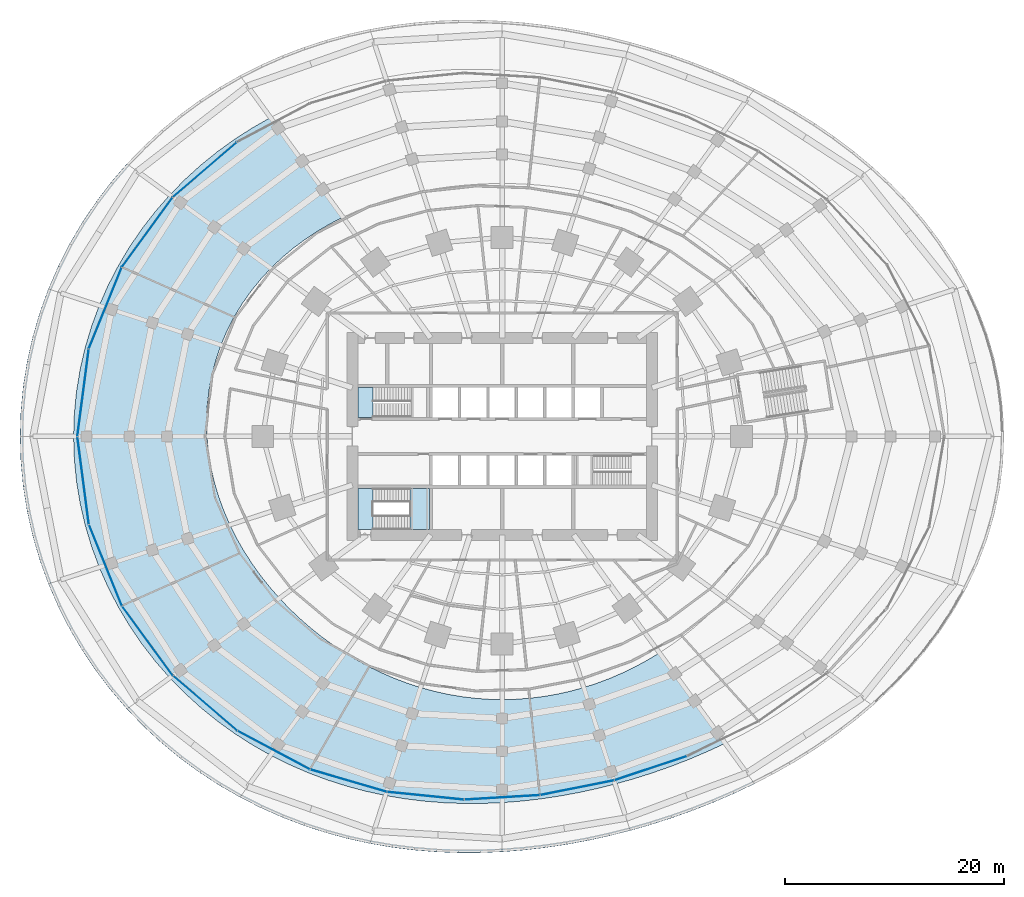
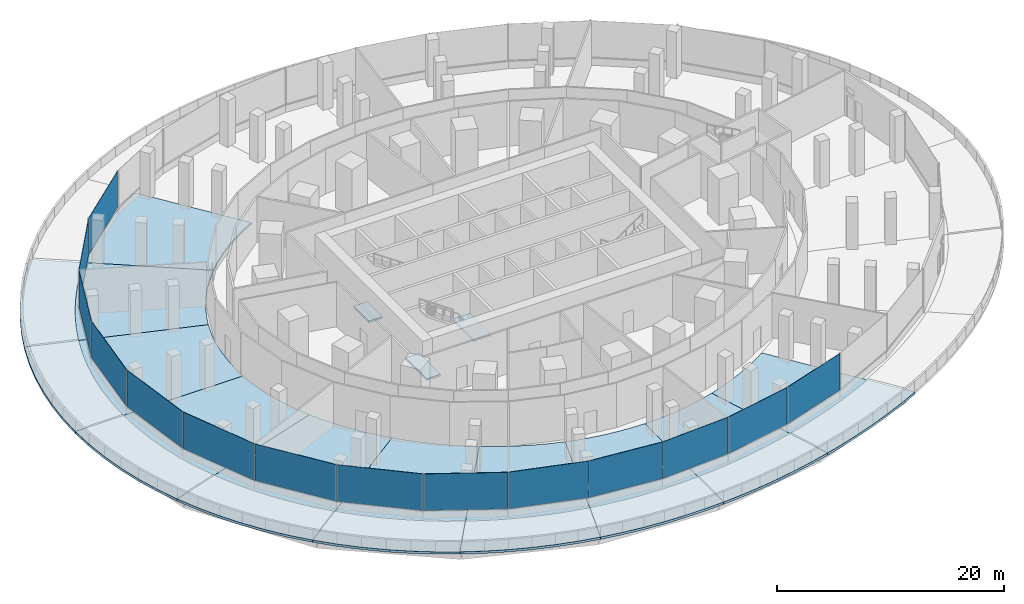
# One storey, part 19 of 31: 22 slabs, 14 plates, 5 elements without a shape of their own.
"""IFC4 building model written with IfcOpenShell, lengths in metres."""

from ifc_helpers import new_model, si_unit, direction, frame, origin, origin_2d, place, context, subcontext, project, spatial, polyline, rectangle, outline, extrude, material, layer, layer_set, type_object, element, aggregate, save


model = new_model("IFC4")

# Units and contexts
model_context = context("Model", 3, precision=1e-05, world=origin(), true_north=direction((0.0, 1.0)))
body_context = subcontext(model_context, "Body", "Model", "MODEL_VIEW")
ifc_project = project(units=[si_unit("LENGTHUNIT", "METRE"), si_unit("AREAUNIT", "SQUARE_METRE"), si_unit("VOLUMEUNIT", "CUBIC_METRE"), si_unit("PLANEANGLEUNIT", "RADIAN"), si_unit("MASSUNIT", "GRAM", prefix="KILO")], contexts=[model_context])

# Site, building, storey
site_placement = place(None, origin())
site = spatial("IfcSite", under=ifc_project, at=site_placement, CompositionType="ELEMENT")
building_placement = place(site_placement, origin())
building = spatial("IfcBuilding", under=site, at=building_placement, Name="Marramba Exchange Tower", CompositionType="ELEMENT")
storey_placement = place(building_placement, frame((0.0, 0.0, 5.60009765625)))
storey = spatial("IfcBuildingStorey", under=building, at=storey_placement, Name="L01", CompositionType="ELEMENT", Elevation=5.60009765625)

# Slabs
ifc_material_1 = material(Name="Concrete N40", Category="concrete")
ifc_layer_1 = layer(ifc_material_1, 0.199951171875)
ifc_layer_set_1 = layer_set([ifc_layer_1], Name="Floor slab 200")
slab_type_1 = type_object("IfcSlabType", Name="Floor slab 200", PredefinedType="FLOOR", material=ifc_layer_set_1)
slab_1_placement = place(storey_placement, frame((0.0, 0.0, -0.2001953125)))
element("IfcSlab", 1, at=slab_1_placement, inside=storey, type_object=slab_type_1, Name="Floor slab L01 podium bay 08", PredefinedType="FLOOR", context=body_context, shape_type="SweptSolid", body=[
    extrude(outline(polyline([(-30.401611328125, 22.088134765625), (-29.01708984375, 23.49755859375), (-27.56298828125, 24.81787109375), (-26.0458984375, 26.0458984375), (-24.47314453125, 27.18017578125), (-22.8515625, 28.219482421875), (-21.18798828125, 29.162841796875), (-14.563720703125, 20.04541015625), (-15.740478515625, 19.437744140625), (-16.89453125, 18.763427734375), (-18.020263671875, 18.020263671875), (-19.11083984375, 17.20751953125), (-20.159423828125, 16.32470703125), (-21.158447265625, 15.37255859375), (-30.401611328125, 22.088134765625)])), origin(), (0.0, 0.0, 1.0), 0.2001953125),
])
slab_2_placement = place(storey_placement, frame((0.0, 0.0, -0.2001953125)))
element("IfcSlab", 2, at=slab_2_placement, inside=storey, type_object=slab_type_1, Name="Floor slab L01 podium bay 09", PredefinedType="FLOOR", context=body_context, shape_type="SweptSolid", body=[
    extrude(outline(polyline([(-36.0322265625, 13.83154296875), (-35.10107421875, 15.6279296875), (-34.065673828125, 17.357421875), (-32.932861328125, 19.013671875), (-31.709228515625, 20.59228515625), (-30.401611328125, 22.088134765625), (-21.158447265625, 15.37255859375), (-22.10107421875, 14.3525390625), (-22.9794921875, 13.267333984375), (-23.786865234375, 12.1201171875), (-24.516357421875, 10.915283203125), (-25.16162109375, 9.65869140625), (-25.717529296875, 8.356201171875), (-36.853515625, 11.974365234375), (-36.0322265625, 13.83154296875)])), origin(), (0.0, 0.0, 1.0), 0.2001953125),
])
slab_3_placement = place(storey_placement, frame((0.0, 0.0, -0.2001953125)))
element("IfcSlab", 3, at=slab_3_placement, inside=storey, type_object=slab_type_1, Name="Floor slab L01 podium bay 10", PredefinedType="FLOOR", context=body_context, shape_type="SweptSolid", body=[
    extrude(outline(polyline([(-39.13330078125, 2.05078125), (-38.933837890625, 4.092041015625), (-38.60302734375, 6.114013671875), (-38.1435546875, 8.107666015625), (-37.558837890625, 10.06396484375), (-36.853515625, 11.974365234375), (-25.717529296875, 8.356201171875), (-26.179443359375, 7.0146484375), (-26.5439453125, 5.64208984375), (-26.80859375, 4.24609375), (-26.97265625, 2.8349609375), (-27.035888671875, 1.4169921875), (-27.0, 0.0), (-39.199951171875, 0.0), (-39.13330078125, 2.05078125)])), origin(), (0.0, 0.0, 1.0), 0.2001953125),
])
slab_4_placement = place(storey_placement, frame((0.0, 0.0, -0.2001953125)))
element("IfcSlab", 4, at=slab_4_placement, inside=storey, type_object=slab_type_1, Name="Floor slab L01 podium bay 11", PredefinedType="FLOOR", context=body_context, shape_type="SweptSolid", body=[
    extrude(outline(polyline([(-36.853515625, -11.974365234375), (-37.558837890625, -10.06396484375), (-38.1435546875, -8.107666015625), (-38.60302734375, -6.114013671875), (-38.933837890625, -4.092041015625), (-39.13330078125, -2.05078125), (-39.199951171875, 0.0), (-27.0, 0.0), (-26.8671875, -1.407958984375), (-26.64111328125, -2.800048828125), (-26.326171875, -4.169677734375), (-25.927001953125, -5.510986328125), (-25.44921875, -6.819091796875), (-24.8984375, -8.090087890625), (-36.853515625, -11.974365234375)])), origin(), (0.0, 0.0, 1.0), 0.2001953125),
])
slab_5_placement = place(storey_placement, frame((0.0, 0.0, -0.2001953125)))
element("IfcSlab", 5, at=slab_5_placement, inside=storey, type_object=slab_type_1, Name="Floor slab L01 podium bay 12", PredefinedType="FLOOR", context=body_context, shape_type="SweptSolid", body=[
    extrude(outline(polyline([(-31.709228515625, -20.59228515625), (-32.932861328125, -19.013671875), (-34.065673828125, -17.357421875), (-35.10107421875, -15.6279296875), (-36.0322265625, -13.83154296875), (-36.853515625, -11.974365234375), (-24.8984375, -8.090087890625), (-24.280517578125, -9.320556640625), (-23.60107421875, -10.5078125), (-22.865234375, -11.650390625), (-22.078369140625, -12.7470703125), (-21.244873046875, -13.796630859375), (-20.36865234375, -14.798583984375), (-30.401611328125, -22.088134765625), (-31.709228515625, -20.59228515625)])), origin(), (0.0, 0.0, 1.0), 0.2001953125),
])
slab_6_placement = place(storey_placement, frame((0.0, 0.0, -0.2001953125)))
element("IfcSlab", 6, at=slab_6_placement, inside=storey, type_object=slab_type_1, Name="Floor slab L01 podium bay 13", PredefinedType="FLOOR", context=body_context, shape_type="SweptSolid", body=[
    extrude(outline(polyline([(-21.18798828125, -29.162841796875), (-22.8515625, -28.219482421875), (-24.47314453125, -27.18017578125), (-26.0458984375, -26.0458984375), (-27.56298828125, -24.81787109375), (-29.01708984375, -23.49755859375), (-30.401611328125, -22.088134765625), (-20.36865234375, -14.798583984375), (-19.453369140625, -15.753173828125), (-18.502197265625, -16.659423828125), (-17.517578125, -17.517578125), (-16.501953125, -18.327392578125), (-15.457275390625, -19.088134765625), (-14.385009765625, -19.799072265625), (-21.18798828125, -29.162841796875)])), origin(), (0.0, 0.0, 1.0), 0.2001953125),
])
slab_7_placement = place(storey_placement, frame((0.0, 0.0, -0.2001953125)))
element("IfcSlab", 7, at=slab_7_placement, inside=storey, type_object=slab_type_1, Name="Floor slab L01 podium bay 14", PredefinedType="FLOOR", context=body_context, shape_type="SweptSolid", body=[
    extrude(outline(polyline([(-10.6728515625, -32.84765625), (-12.46044921875, -32.460693359375), (-14.240966796875, -31.98583984375), (-16.009521484375, -31.420654296875), (-17.7607421875, -30.762451171875), (-19.489013671875, -30.01025390625), (-21.18798828125, -29.162841796875), (-14.385009765625, -19.799072265625), (-13.286865234375, -20.459716796875), (-12.164306640625, -21.069091796875), (-11.01904296875, -21.6259765625), (-9.8525390625, -22.129150390625), (-8.66650390625, -22.577392578125), (-7.463134765625, -22.968994140625), (-10.6728515625, -32.84765625)])), origin(), (0.0, 0.0, 1.0), 0.2001953125),
])
slab_8_placement = place(storey_placement, frame((0.0, 0.0, -0.2001953125)))
element("IfcSlab", 8, at=slab_8_placement, inside=storey, type_object=slab_type_1, Name="Floor slab L01 podium bay 15", PredefinedType="FLOOR", context=body_context, shape_type="SweptSolid", body=[
    extrude(outline(polyline([(-1.759521484375, -33.572509765625), (-3.529052734375, -33.5771484375), (-5.3076171875, -33.5107421875), (-7.0927734375, -33.369140625), (-8.88232421875, -33.1494140625), (-10.6728515625, -32.84765625), (-7.463134765625, -22.968994140625), (-6.244140625, -23.30322265625), (-5.01171875, -23.578369140625), (-3.7685546875, -23.793701171875), (-2.51708984375, -23.947998046875), (-1.260009765625, -24.041015625), (0.0, -24.072021484375), (0.0, -33.5), (-1.759521484375, -33.572509765625)])), origin(), (0.0, 0.0, 1.0), 0.2001953125),
])
slab_9_placement = place(storey_placement, frame((0.0, 0.0, -0.2001953125)))
element("IfcSlab", 9, at=slab_9_placement, inside=storey, type_object=slab_type_1, Name="Floor slab L01 podium bay 16", PredefinedType="FLOOR", context=body_context, shape_type="SweptSolid", body=[
    extrude(outline(polyline([(10.3330078125, -31.801513671875), (8.634521484375, -32.224853515625), (6.927978515625, -32.59375), (5.212158203125, -32.907470703125), (3.48583984375, -33.164794921875), (1.74853515625, -33.363037109375), (0.0, -33.5), (0.0, -24.072021484375), (1.260009765625, -24.041015625), (2.51708984375, -23.947998046875), (3.7685546875, -23.793701171875), (5.01171875, -23.578369140625), (6.244140625, -23.30322265625), (7.463134765625, -22.968994140625), (10.3330078125, -31.801513671875)])), origin(), (0.0, 0.0, 1.0), 0.2001953125),
])
slab_10_placement = place(storey_placement, frame((0.0, 0.0, -0.2001953125)))
element("IfcSlab", 10, at=slab_10_placement, inside=storey, type_object=slab_type_1, Name="Floor slab L01 podium bay 17", PredefinedType="FLOOR", context=body_context, shape_type="SweptSolid", body=[
    extrude(outline(polyline([(20.39697265625, -28.073974609375), (18.73388671875, -28.84765625), (17.064208984375, -29.55615234375), (15.389404296875, -30.203125), (13.70947265625, -30.791748046875), (12.024169921875, -31.323974609375), (10.3330078125, -31.801513671875), (7.463134765625, -22.968994140625), (8.66650390625, -22.577392578125), (9.8525390625, -22.129150390625), (11.01904296875, -21.6259765625), (12.164306640625, -21.069091796875), (13.286865234375, -20.459716796875), (14.385009765625, -19.799072265625), (20.39697265625, -28.073974609375)])), origin(), (0.0, 0.0, 1.0), 0.2001953125),
])
ifc_layer_2 = layer(ifc_material_1, 0.25)
ifc_layer_set_2 = layer_set([ifc_layer_2], Name="Planted roof slab 250")
slab_type_2 = type_object("IfcSlabType", Name="Planted roof slab 250", PredefinedType="ROOF", material=ifc_layer_set_2)
slab_11_placement = place(storey_placement, frame((0.0, 0.0, -0.25)))
element("IfcSlab", 11, at=slab_11_placement, inside=storey, type_object=slab_type_2, Name="Planted roof slab L01 bay 09", PredefinedType="ROOF", context=body_context, shape_type="SweptSolid", body=[
    extrude(outline(polyline([(-41.504638671875, 13.485595703125), (-40.593994140625, 15.58251953125), (-39.56005859375, 17.61328125), (-38.408935546875, 19.5703125), (-37.147705078125, 21.447265625), (-35.782958984375, 23.23779296875), (-34.32275390625, 24.93701171875), (-30.401611328125, 22.088134765625), (-31.709228515625, 20.59228515625), (-32.932861328125, 19.013671875), (-34.065673828125, 17.357421875), (-35.10107421875, 15.6279296875), (-36.0322265625, 13.83154296875), (-36.853515625, 11.974365234375), (-41.504638671875, 13.485595703125)])), origin(), (0.0, 0.0, 1.0), 0.25),
])
slab_12_placement = place(storey_placement, frame((0.0, 0.0, -0.25)))
element("IfcSlab", 12, at=slab_12_placement, inside=storey, type_object=slab_type_2, Name="Planted roof slab L01 bay 10", PredefinedType="ROOF", context=body_context, shape_type="SweptSolid", body=[
    extrude(outline(polyline([(-44.0263671875, 2.307373046875), (-43.80615234375, 4.604248046875), (-43.440673828125, 6.88037109375), (-42.9326171875, 9.125732421875), (-42.285888671875, 11.33056640625), (-41.504638671875, 13.485595703125), (-36.853515625, 11.974365234375), (-37.558837890625, 10.06396484375), (-38.1435546875, 8.107666015625), (-38.60302734375, 6.114013671875), (-38.933837890625, 4.092041015625), (-39.13330078125, 2.05078125), (-39.199951171875, 0.0), (-44.10009765625, 0.0), (-44.0263671875, 2.307373046875)])), origin(), (0.0, 0.0, 1.0), 0.25),
])
slab_13_placement = place(storey_placement, frame((0.0, 0.0, -0.25)))
element("IfcSlab", 13, at=slab_13_placement, inside=storey, type_object=slab_type_2, Name="Planted roof slab L01 bay 11", PredefinedType="ROOF", context=body_context, shape_type="SweptSolid", body=[
    extrude(outline(polyline([(-42.285888671875, -11.33056640625), (-42.9326171875, -9.125732421875), (-43.440673828125, -6.88037109375), (-43.80615234375, -4.604248046875), (-44.0263671875, -2.307373046875), (-44.10009765625, 0.0), (-39.199951171875, 0.0), (-39.13330078125, -2.05078125), (-38.933837890625, -4.092041015625), (-38.60302734375, -6.114013671875), (-38.1435546875, -8.107666015625), (-37.558837890625, -10.06396484375), (-36.853515625, -11.974365234375), (-41.504638671875, -13.485595703125), (-42.285888671875, -11.33056640625)])), origin(), (0.0, 0.0, 1.0), 0.25),
])
slab_14_placement = place(storey_placement, frame((0.0, 0.0, -0.25)))
element("IfcSlab", 14, at=slab_14_placement, inside=storey, type_object=slab_type_2, Name="Planted roof slab L01 bay 12", PredefinedType="ROOF", context=body_context, shape_type="SweptSolid", body=[
    extrude(outline(polyline([(-35.782958984375, -23.23779296875), (-37.147705078125, -21.447265625), (-38.408935546875, -19.5703125), (-39.56005859375, -17.61328125), (-40.593994140625, -15.58251953125), (-41.504638671875, -13.485595703125), (-36.853515625, -11.974365234375), (-36.0322265625, -13.83154296875), (-35.10107421875, -15.6279296875), (-34.065673828125, -17.357421875), (-32.932861328125, -19.013671875), (-31.709228515625, -20.59228515625), (-30.401611328125, -22.088134765625), (-34.32275390625, -24.93701171875), (-35.782958984375, -23.23779296875)])), origin(), (0.0, 0.0, 1.0), 0.25),
])
slab_15_placement = place(storey_placement, frame((0.0, 0.0, -0.25)))
element("IfcSlab", 15, at=slab_15_placement, inside=storey, type_object=slab_type_2, Name="Planted roof slab L01 bay 13", PredefinedType="ROOF", context=body_context, shape_type="SweptSolid", body=[
    extrude(outline(polyline([(-23.980224609375, -33.005859375), (-25.853515625, -31.92626953125), (-27.67724609375, -30.738525390625), (-29.44384765625, -29.44384765625), (-31.145263671875, -28.04345703125), (-32.774169921875, -26.5400390625), (-34.32275390625, -24.93701171875), (-30.401611328125, -22.088134765625), (-29.01708984375, -23.49755859375), (-27.56298828125, -24.81787109375), (-26.0458984375, -26.0458984375), (-24.47314453125, -27.18017578125), (-22.8515625, -28.219482421875), (-21.18798828125, -29.162841796875), (-23.980224609375, -33.005859375)])), origin(), (0.0, 0.0, 1.0), 0.25),
])
slab_16_placement = place(storey_placement, frame((0.0, 0.0, -0.25)))
element("IfcSlab", 16, at=slab_16_placement, inside=storey, type_object=slab_type_2, Name="Planted roof slab L01 bay 14", PredefinedType="ROOF", context=body_context, shape_type="SweptSolid", body=[
    extrude(outline(polyline([(-14.123291015625, -36.79248046875), (-16.1376953125, -36.24560546875), (-18.136962890625, -35.595703125), (-20.11474609375, -34.83984375), (-22.06494140625, -33.97705078125), (-23.980224609375, -33.005859375), (-21.18798828125, -29.162841796875), (-19.489013671875, -30.01025390625), (-17.7607421875, -30.762451171875), (-16.009521484375, -31.420654296875), (-14.240966796875, -31.98583984375), (-12.46044921875, -32.460693359375), (-10.6728515625, -32.84765625), (-12.099609375, -37.238525390625), (-14.123291015625, -36.79248046875)])), origin(), (0.0, 0.0, 1.0), 0.25),
])
slab_17_placement = place(storey_placement, frame((0.0, 0.0, -0.25)))
element("IfcSlab", 17, at=slab_17_placement, inside=storey, type_object=slab_type_2, Name="Planted roof slab L01 bay 15", PredefinedType="ROOF", context=body_context, shape_type="SweptSolid", body=[
    extrude(outline(polyline([(-1.995849609375, -38.08154296875), (-4.0029296875, -38.085205078125), (-6.019775390625, -38.006591796875), (-8.04345703125, -37.842041015625), (-10.071533203125, -37.587158203125), (-12.099609375, -37.238525390625), (-10.6728515625, -32.84765625), (-8.88232421875, -33.1494140625), (-7.0927734375, -33.369140625), (-5.3076171875, -33.5107421875), (-3.529052734375, -33.5771484375), (-1.759521484375, -33.572509765625), (0.0, -33.5), (0.0, -38.0), (-1.995849609375, -38.08154296875)])), origin(), (0.0, 0.0, 1.0), 0.25),
])
slab_18_placement = place(storey_placement, frame((0.0, 0.0, -0.25)))
element("IfcSlab", 18, at=slab_18_placement, inside=storey, type_object=slab_type_2, Name="Planted roof slab L01 bay 16", PredefinedType="ROOF", context=body_context, shape_type="SweptSolid", body=[
    extrude(outline(polyline([(11.714111328125, -36.052734375), (9.79052734375, -36.538818359375), (7.856689453125, -36.962646484375), (5.911376953125, -37.322509765625), (3.95361328125, -37.6171875), (1.9833984375, -37.843994140625), (0.0, -38.0), (0.0, -33.5), (1.74853515625, -33.363037109375), (3.48583984375, -33.164794921875), (5.212158203125, -32.907470703125), (6.927978515625, -32.59375), (8.634521484375, -32.224853515625), (10.3330078125, -31.801513671875), (11.714111328125, -36.052734375)])), origin(), (0.0, 0.0, 1.0), 0.25),
])
slab_19_placement = place(storey_placement, frame((0.0, 0.0, -0.25)))
element("IfcSlab", 19, at=slab_19_placement, inside=storey, type_object=slab_type_2, Name="Planted roof slab L01 bay 17", PredefinedType="ROOF", context=body_context, shape_type="SweptSolid", body=[
    extrude(outline(polyline([(21.210205078125, -32.66064453125), (19.325927734375, -33.4736328125), (17.43408203125, -34.216552734375), (15.53515625, -34.892578125), (13.628662109375, -35.504150390625), (11.714111328125, -36.052734375), (10.3330078125, -31.801513671875), (12.024169921875, -31.323974609375), (13.70947265625, -30.791748046875), (15.389404296875, -30.203125), (17.064208984375, -29.55615234375), (18.73388671875, -28.84765625), (20.39697265625, -28.073974609375), (23.0849609375, -31.773681640625), (21.210205078125, -32.66064453125)])), origin(), (0.0, 0.0, 1.0), 0.25),
])

# Curtain wall, plates
ifc_material_2 = material(Name="Aluminium framing, bronze anodised", Category="aluminium")
curtain_wall_type = type_object("IfcCurtainWallType", Name="Podium ribbon curtain wall", PredefinedType="USERDEFINED", material=ifc_material_2)
curtain_wall_1_placement = place(storey_placement, origin())
curtain_wall_1 = element("IfcCurtainWall", 20, at=curtain_wall_1_placement, inside=storey, type_object=curtain_wall_type, Name="Curtain wall CW2 L01 F11-F15", ObjectType="RIBBON CURTAIN WALL", PredefinedType="USERDEFINED")
ifc_material_3 = material(Name="Double glazed unit 8 + 12 + 8.76, bronze tinted", Category="glass")
ifc_layer_3 = layer(ifc_material_3, 0.02880859375)
ifc_layer_set_3 = layer_set([ifc_layer_3], Name="Podium ribbon curtain wall panel")
plate_type = type_object("IfcPlateType", Name="Podium ribbon curtain wall panel", PredefinedType="CURTAIN_PANEL", material=ifc_layer_set_3)
plate_1_placement = place(storey_placement, frame((-27.201416015625, 24.381591796875, 0.85986328125), z_axis=(0.0, 0.0, 1.0), x_axis=(-0.759373869701, -0.650654536613, 0.0)))
plate_1 = element("IfcPlate", 21, at=plate_1_placement, type_object=plate_type, Name="CW2 vision panel", PredefinedType="CURTAIN_PANEL", context=body_context, shape_type="SweptSolid", body=[
    extrude(rectangle(XDim=7.6826171875, YDim=0.02880859375, at=origin_2d()), origin(), (0.0, 0.0, 1.0), 3.93994140625),
])
plate_2_placement = place(storey_placement, frame((-32.467529296875, 18.65966796875, 0.85986328125), z_axis=(0.0, 0.0, 1.0), x_axis=(-0.589045557291, -0.808099827642, 0.0)))
plate_2 = element("IfcPlate", 22, at=plate_2_placement, type_object=plate_type, Name="CW2 vision panel", PredefinedType="CURTAIN_PANEL", context=body_context, shape_type="SweptSolid", body=[
    extrude(rectangle(XDim=7.855712890625, YDim=0.02880859375, at=origin_2d()), origin(), (0.0, 0.0, 1.0), 3.93994140625),
])
plate_3_placement = place(storey_placement, frame((-36.302490234375, 11.732421875, 0.85986328125), z_axis=(0.0, 0.0, 1.0), x_axis=(-0.375631800009, -0.926768984603, 0.0)))
plate_3 = element("IfcPlate", 23, at=plate_3_placement, type_object=plate_type, Name="CW2 vision panel", PredefinedType="CURTAIN_PANEL", context=body_context, shape_type="SweptSolid", body=[
    extrude(rectangle(XDim=7.9794921875, YDim=0.02880859375, at=origin_2d()), origin(), (0.0, 0.0, 1.0), 3.93994140625),
])
plate_4_placement = place(storey_placement, frame((-38.329345703125, 3.98779296875, 0.85986328125), z_axis=(0.0, 0.0, 1.0), x_axis=(-0.129442533112, -0.991586925399, 0.0)))
plate_4 = element("IfcPlate", 24, at=plate_4_placement, type_object=plate_type, Name="CW2 vision panel", PredefinedType="CURTAIN_PANEL", context=body_context, shape_type="SweptSolid", body=[
    extrude(rectangle(XDim=8.04296875, YDim=0.02880859375, at=origin_2d()), origin(), (0.0, 0.0, 1.0), 3.93994140625),
])
aggregate(curtain_wall_1, [plate_1, plate_2, plate_3, plate_4])

curtain_wall_2_placement = place(storey_placement, origin())
curtain_wall_2 = element("IfcCurtainWall", 25, at=curtain_wall_2_placement, inside=storey, type_object=curtain_wall_type, Name="Curtain wall CW2 L01 F16-F20", ObjectType="RIBBON CURTAIN WALL", PredefinedType="USERDEFINED")
plate_5_placement = place(storey_placement, frame((-38.32177734375, -4.047119140625, 0.85986328125), z_axis=(0.0, 0.0, 1.0), x_axis=(0.129442533112, -0.991586925399, 0.0)))
plate_5 = element("IfcPlate", 26, at=plate_5_placement, type_object=plate_type, Name="CW2 vision panel", PredefinedType="CURTAIN_PANEL", context=body_context, shape_type="SweptSolid", body=[
    extrude(rectangle(XDim=8.04296875, YDim=0.02880859375, at=origin_2d()), origin(), (0.0, 0.0, 1.0), 3.93994140625),
])
plate_6_placement = place(storey_placement, frame((-36.280029296875, -11.7880859375, 0.85986328125), z_axis=(0.0, 0.0, 1.0), x_axis=(0.375631800009, -0.926768984603, 0.0)))
plate_6 = element("IfcPlate", 27, at=plate_6_placement, type_object=plate_type, Name="CW2 vision panel", PredefinedType="CURTAIN_PANEL", context=body_context, shape_type="SweptSolid", body=[
    extrude(rectangle(XDim=7.9794921875, YDim=0.02880859375, at=origin_2d()), origin(), (0.0, 0.0, 1.0), 3.93994140625),
])
plate_7_placement = place(storey_placement, frame((-32.43212890625, -18.708251953125, 0.85986328125), z_axis=(0.0, 0.0, 1.0), x_axis=(0.589045557291, -0.808099827642, 0.0)))
plate_7 = element("IfcPlate", 28, at=plate_7_placement, type_object=plate_type, Name="CW2 vision panel", PredefinedType="CURTAIN_PANEL", context=body_context, shape_type="SweptSolid", body=[
    extrude(rectangle(XDim=7.855712890625, YDim=0.02880859375, at=origin_2d()), origin(), (0.0, 0.0, 1.0), 3.93994140625),
])
plate_8_placement = place(storey_placement, frame((-27.156005859375, -24.420654296875, 0.85986328125), z_axis=(0.0, 0.0, 1.0), x_axis=(0.759373869701, -0.650654536613, 0.0)))
plate_8 = element("IfcPlate", 29, at=plate_8_placement, type_object=plate_type, Name="CW2 vision panel", PredefinedType="CURTAIN_PANEL", context=body_context, shape_type="SweptSolid", body=[
    extrude(rectangle(XDim=7.6826171875, YDim=0.02880859375, at=origin_2d()), origin(), (0.0, 0.0, 1.0), 3.93994140625),
])
plate_9_placement = place(storey_placement, frame((-20.885986328125, -28.703857421875, 0.85986328125), z_axis=(0.0, 0.0, 1.0), x_axis=(0.8828506473, -0.469653845466, 0.0)))
plate_9 = element("IfcPlate", 30, at=plate_9_placement, type_object=plate_type, Name="CW2 vision panel", PredefinedType="CURTAIN_PANEL", context=body_context, shape_type="SweptSolid", body=[
    extrude(rectangle(XDim=7.47607421875, YDim=0.02880859375, at=origin_2d()), origin(), (0.0, 0.0, 1.0), 3.93994140625),
])
aggregate(curtain_wall_2, [plate_5, plate_6, plate_7, plate_8, plate_9])

curtain_wall_3_placement = place(storey_placement, origin())
curtain_wall_3 = element("IfcCurtainWall", 31, at=curtain_wall_3_placement, inside=storey, type_object=curtain_wall_type, Name="Curtain wall CW2 L01 F21-F25", ObjectType="RIBBON CURTAIN WALL", PredefinedType="USERDEFINED")
plate_10_placement = place(storey_placement, frame((-14.04638671875, -31.49560546875, 0.85986328125), z_axis=(0.0, 0.0, 1.0), x_axis=(0.959725288556, -0.280940154671, 0.0)))
plate_10 = element("IfcPlate", 32, at=plate_10_placement, type_object=plate_type, Name="CW2 vision panel", PredefinedType="CURTAIN_PANEL", context=body_context, shape_type="SweptSolid", body=[
    extrude(rectangle(XDim=7.255615234375, YDim=0.02880859375, at=origin_2d()), origin(), (0.0, 0.0, 1.0), 3.93994140625),
])
plate_11_placement = place(storey_placement, frame((-6.998779296875, -32.875, 0.85986328125), z_axis=(0.0, 0.0, 1.0), x_axis=(0.994936465756, -0.100505866042, 0.0)))
plate_11 = element("IfcPlate", 33, at=plate_11_placement, type_object=plate_type, Name="CW2 vision panel", PredefinedType="CURTAIN_PANEL", context=body_context, shape_type="SweptSolid", body=[
    extrude(rectangle(XDim=7.048095703125, YDim=0.02880859375, at=origin_2d()), origin(), (0.0, 0.0, 1.0), 3.93994140625),
])
plate_12_placement = place(storey_placement, frame((0.00830078125, -33.02099609375, 0.85986328125), z_axis=(0.0, 0.0, 1.0), x_axis=(0.998239184054, 0.059317210151, 0.0)))
plate_12 = element("IfcPlate", 34, at=plate_12_placement, type_object=plate_type, Name="CW2 vision panel", PredefinedType="CURTAIN_PANEL", context=body_context, shape_type="SweptSolid", body=[
    extrude(rectangle(XDim=6.89404296875, YDim=0.02880859375, at=origin_2d()), origin(), (0.0, 0.0, 1.0), 3.93994140625),
])
plate_13_placement = place(storey_placement, frame((6.866455078125, -32.13671875, 0.85986328125), z_axis=(0.0, 0.0, 1.0), x_axis=(0.980779441764, 0.195119672541, 0.0)))
plate_13 = element("IfcPlate", 35, at=plate_13_placement, type_object=plate_type, Name="CW2 vision panel", PredefinedType="CURTAIN_PANEL", context=body_context, shape_type="SweptSolid", body=[
    extrude(rectangle(XDim=6.848388671875, YDim=0.02880859375, at=origin_2d()), origin(), (0.0, 0.0, 1.0), 3.93994140625),
])
plate_14_placement = place(storey_placement, frame((13.58544921875, -30.351318359375, 0.85986328125), z_axis=(0.0, 0.0, 1.0), x_axis=(0.948934098463, 0.315474367855, 0.0)))
plate_14 = element("IfcPlate", 36, at=plate_14_placement, type_object=plate_type, Name="CW2 vision panel", PredefinedType="CURTAIN_PANEL", context=body_context, shape_type="SweptSolid", body=[
    extrude(rectangle(XDim=6.963134765625, YDim=0.02880859375, at=origin_2d()), origin(), (0.0, 0.0, 1.0), 3.93994140625),
])
aggregate(curtain_wall_3, [plate_10, plate_11, plate_12, plate_13, plate_14])

# Stair, slab
ifc_material_4 = material(Name="Concrete N40 (40 MPa)", Category="concrete")
stair_type_1 = type_object("IfcStairType", Name="Exit stair ST1 5000 x 1250", PredefinedType="HALF_TURN_STAIR", material=ifc_material_4)
stair_1_placement = place(storey_placement, origin())
stair_1 = element("IfcStair", 37, at=stair_1_placement, inside=storey, type_object=stair_type_1, Name="Exit stair ST1 L01", PredefinedType="HALF_TURN_STAIR")
ifc_layer_4 = layer(ifc_material_4, 0.199951171875)
ifc_layer_set_4 = layer_set([ifc_layer_4], Name="Stair landing 200")
slab_type_3 = type_object("IfcSlabType", Name="Stair landing 200", PredefinedType="LANDING", material=ifc_layer_set_4)
slab_20_placement = place(storey_placement, frame((0.0, 0.0, -0.2001953125)))
slab_20 = element("IfcSlab", 38, at=slab_20_placement, type_object=slab_type_3, Name="ST1 landing 1", PredefinedType="LANDING", context=body_context, shape_type="SweptSolid", body=[
    extrude(outline(polyline([(-13.199951171875, 1.75), (-11.800048828125, 1.75), (-11.800048828125, 4.449951171875), (-13.199951171875, 4.449951171875), (-13.199951171875, 1.75)])), origin(), (0.0, 0.0, 1.0), 0.2001953125),
])
aggregate(stair_1, [slab_20])

# Stair, slabs
stair_type_2 = type_object("IfcStairType", Name="Exit stair ST3 5000 x 1250", PredefinedType="HALF_TURN_STAIR", material=ifc_material_4)
stair_2_placement = place(storey_placement, origin())
stair_2 = element("IfcStair", 39, at=stair_2_placement, inside=storey, type_object=stair_type_2, Name="Exit stair ST3 L01", PredefinedType="HALF_TURN_STAIR")
slab_21_placement = place(storey_placement, frame((0.0, 0.0, -0.2001953125)))
slab_21 = element("IfcSlab", 40, at=slab_21_placement, type_object=slab_type_3, Name="ST3 landing 1", PredefinedType="LANDING", context=body_context, shape_type="SweptSolid", body=[
    extrude(outline(polyline([(-13.199951171875, -8.5), (-11.800048828125, -8.5), (-11.800048828125, -4.75), (-13.199951171875, -4.75), (-13.199951171875, -8.5)])), origin(), (0.0, 0.0, 1.0), 0.2001953125),
])
slab_22_placement = place(storey_placement, frame((0.0, 0.0, 2.2998046875)))
slab_22 = element("IfcSlab", 41, at=slab_22_placement, type_object=slab_type_3, Name="ST3 landing 2", PredefinedType="LANDING", context=body_context, shape_type="SweptSolid", body=[
    extrude(outline(polyline([(-8.419921875, -8.5), (-6.64990234375, -8.5), (-6.64990234375, -4.75), (-8.419921875, -4.75), (-8.419921875, -8.5)])), origin(), (0.0, 0.0, 1.0), 0.2001953125),
])
aggregate(stair_2, [slab_21, slab_22])

save(model, "model.ifc")
